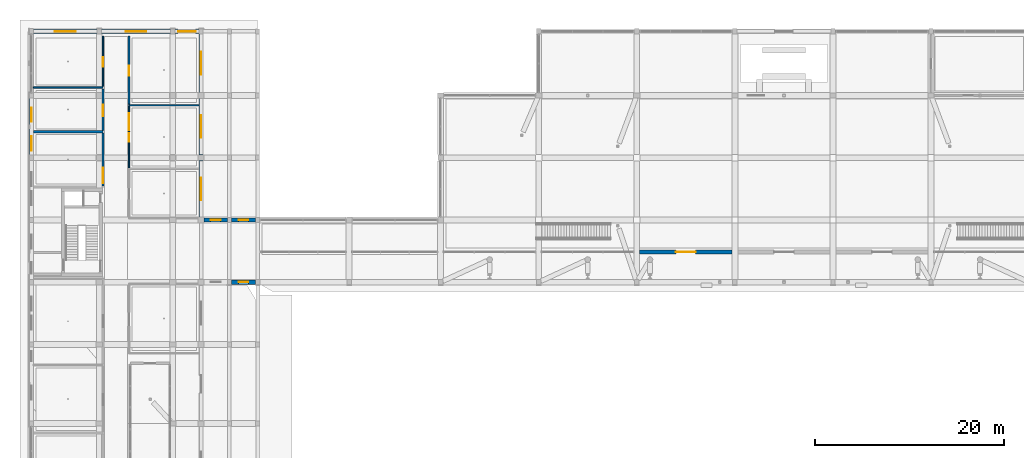
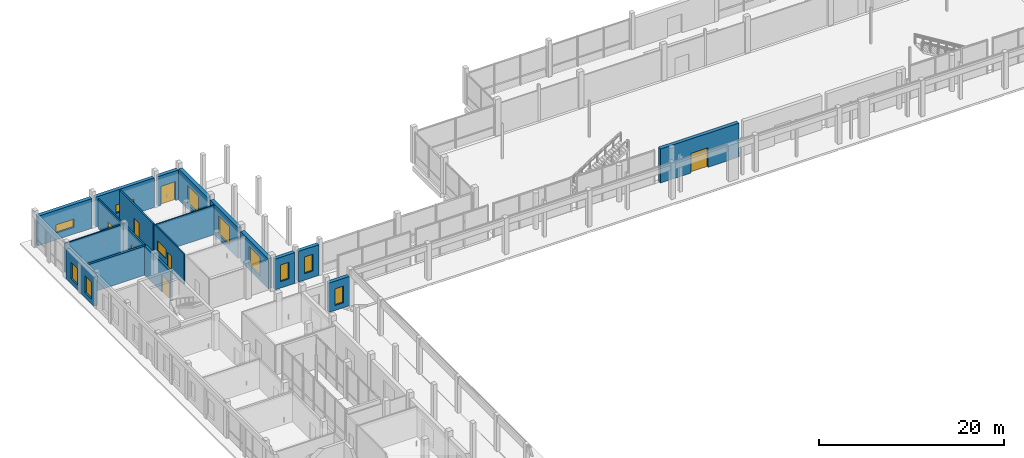
# One storey, part 50 of 88: 19 walls, 11 windows, 7 doors, 18 openings.
"""IFC4 building model written with IfcOpenShell, lengths in metres."""

import ifcopenshell
import ifcopenshell.guid

model = None  # the IFC model being written
_history = None  # IfcOwnerHistory: only IFC2X3 demands one
_inside = {}  # id of a spatial element -> (the spatial element, [elements in it])
_under = {}  # id of a project, library or spatial element -> (it, [spatial elements below it])
_declared = {}  # id of a project -> (the project, [libraries it declares])
_typed = {}  # id of a type object -> (the type object, [elements of that type])
_made_of = {}  # id of a material, layer set ... -> (it, [elements and type objects made of it])


def new_model(schema):
    """Start an empty IFC model of exactly this schema.

    Asked for "IFC4X3", IfcOpenShell would pick the latest addendum, in which some entities
    have other attributes; the version numbers below select the first issue.
    IFC2X3 requires an IfcOwnerHistory on every rooted entity: one is made here for all.
    """
    global model, _history
    if schema == "IFC4X3":
        model = ifcopenshell.file(schema_version=(4, 3, 0, 0))
    else:
        model = ifcopenshell.file(schema=schema)
    _inside.clear()
    _under.clear()
    _declared.clear()
    _typed.clear()
    _made_of.clear()
    _history = None
    if model.schema == "IFC2X3":
        org = make("IfcOrganization", Name="unknown")
        user = make(
            "IfcPersonAndOrganization",
            ThePerson=make("IfcPerson", FamilyName="unknown"),
            TheOrganization=org,
        )
        app = make(
            "IfcApplication",
            ApplicationDeveloper=org,
            Version="unknown",
            ApplicationFullName="unknown",
            ApplicationIdentifier="unknown",
        )
        _history = make(
            "IfcOwnerHistory",
            OwningUser=user,
            OwningApplication=app,
            ChangeAction="ADDED",
            CreationDate=0,
        )
    return model


def make(cls, **values):
    """One entity of the class cls with the attributes given. An attribute that is None is left unset."""
    return model.create_entity(
        cls, **{name: value for name, value in values.items() if value is not None}
    )


def rooted(cls, **values):
    """An entity with a GlobalId (a new one), such as an element, a storey or a relation."""
    return make(cls, GlobalId=ifcopenshell.guid.new(), OwnerHistory=_history, **values)


def si_unit(unit_type, name, prefix=None):
    """IfcSIUnit, for example si_unit("LENGTHUNIT", "METRE", prefix="MILLI")."""
    return make("IfcSIUnit", UnitType=unit_type, Prefix=prefix, Name=name)


def derived_unit(unit_type, elements):
    """IfcDerivedUnit: a product of units, each with its exponent."""
    return make(
        "IfcDerivedUnit",
        Elements=[
            make("IfcDerivedUnitElement", Unit=unit, Exponent=power)
            for unit, power in elements
        ],
        UnitType=unit_type,
    )


def assignment(units):
    """IfcUnitAssignment: the units of a project."""
    return None if units is None else make("IfcUnitAssignment", Units=units)


def point(xyz):
    """IfcCartesianPoint."""
    return None if xyz is None else make("IfcCartesianPoint", Coordinates=xyz)


def direction(xyz):
    """IfcDirection."""
    return None if xyz is None else make("IfcDirection", DirectionRatios=xyz)


def frame(location, z_axis=None, x_axis=None):
    """IfcAxis2Placement3D, a coordinate frame: its origin and axes. An axis left out is left unset."""
    return make(
        "IfcAxis2Placement3D",
        Location=point(location),
        Axis=direction(z_axis),
        RefDirection=direction(x_axis),
    )


def frame_2d(location, x_axis=None):
    """IfcAxis2Placement2D, a coordinate frame in the plane: its origin and x axis."""
    return make(
        "IfcAxis2Placement2D", Location=point(location), RefDirection=direction(x_axis)
    )


def origin():
    """The frame at (0, 0, 0) with its axes left unset."""
    return frame((0.0, 0.0, 0.0))


def origin_with_axes():
    """The frame at (0, 0, 0) with the z axis (0, 0, 1) and the x axis (1, 0, 0) written out."""
    return frame((0.0, 0.0, 0.0), z_axis=(0.0, 0.0, 1.0), x_axis=(1.0, 0.0, 0.0))


def place(relative_to, where):
    """IfcLocalPlacement: puts the frame where relative to a parent placement (None: the world)."""
    return make(
        "IfcLocalPlacement", PlacementRelTo=relative_to, RelativePlacement=where
    )


def context(
    kind, dimensions, precision=None, world=None, true_north=None, identifier=None
):
    """IfcGeometricRepresentationContext, for example the 3D "Model" context."""
    return make(
        "IfcGeometricRepresentationContext",
        ContextIdentifier=identifier,
        ContextType=kind,
        CoordinateSpaceDimension=dimensions,
        Precision=precision,
        WorldCoordinateSystem=world,
        TrueNorth=true_north,
    )


def subcontext(parent, identifier, kind, view, scale=None):
    """IfcGeometricRepresentationSubContext, for example "Body" below "Model"."""
    return make(
        "IfcGeometricRepresentationSubContext",
        ContextIdentifier=identifier,
        ContextType=kind,
        ParentContext=parent,
        TargetScale=scale,
        TargetView=view,
    )


def project(units=None, contexts=None):
    """IfcProject with its units and contexts."""
    return rooted(
        "IfcProject",
        Name="project",
        RepresentationContexts=contexts,
        UnitsInContext=assignment(units),
    )


def spatial(cls, under=None, at=None, **own):
    """A site, building, storey or space (cls), placed at a placement, below another one or the project."""
    s = rooted(cls, ObjectPlacement=at, **own)
    if under is not None:
        _under.setdefault(under.id(), (under, []))[1].append(s)
    return s


def profile(cls, at=None, kind="AREA", **sizes):
    """A parametric profile (cls). Its sizes go by their IFC names, for example OverallWidth=200.0."""
    return make(cls, ProfileType=kind, Position=at, **sizes)


def rectangle(**sizes):
    """IfcRectangleProfileDef."""
    return profile("IfcRectangleProfileDef", **sizes)


def extrude(swept, where, along, depth):
    """IfcExtrudedAreaSolid: the profile swept, set in the frame where, extruded along a direction by depth."""
    return make(
        "IfcExtrudedAreaSolid",
        SweptArea=swept,
        Position=where,
        ExtrudedDirection=direction(along),
        Depth=depth,
    )


def shape(context_of_items, identifier, shape_type, items):
    """IfcShapeRepresentation: the items that make up one representation, for example the "Body"."""
    return make(
        "IfcShapeRepresentation",
        ContextOfItems=context_of_items,
        RepresentationIdentifier=identifier,
        RepresentationType=shape_type,
        Items=items,
    )


def material(Name=None, Category=None):
    """IfcMaterial."""
    return make("IfcMaterial", Name=Name, Category=Category)


def layer(
    of_material, thickness, ventilated=None, Name=None, Category=None, Priority=None
):
    """IfcMaterialLayer: one layer of a wall or slab, of a material (None: an air gap)."""
    return make(
        "IfcMaterialLayer",
        Material=of_material,
        LayerThickness=thickness,
        IsVentilated=ventilated,
        Name=Name,
        Category=Category,
        Priority=Priority,
    )


def layer_set(layers, Name=None):
    """IfcMaterialLayerSet."""
    return make("IfcMaterialLayerSet", MaterialLayers=layers, LayerSetName=Name)


def made_of(thing, what):
    """Note that an element or type object is made of a material, layer set ...; save() writes the relation."""
    if what is not None:
        _made_of.setdefault(what.id(), (what, []))[1].append(thing)
    return thing


def type_object(cls, material=None, **own):
    """A type object (cls), such as IfcWallType, which elements share."""
    return made_of(rooted(cls, **own), material)


def element(
    cls,
    number,
    at=None,
    inside=None,
    cuts=None,
    type_object=None,
    material=None,
    context=None,
    identifier="Body",
    shape_type=None,
    held_by="IfcProductDefinitionShape",
    body=None,
    shapes=None,
    **own,
):
    """One element of the class cls, such as IfcWall. Its Tag is "e" and its number.

    at: its placement. inside: the storey or other place that contains it. cuts: it is an
    opening in that element (IfcRelVoidsElement). A single representation is given by context,
    identifier, shape_type and body (its items); several are given by shapes. held_by: the class
    of the entity that holds the representations. save() writes the other relations.
    """
    e = rooted(cls, Tag="e%d" % number, ObjectPlacement=at, **own)
    if body is not None:
        shapes = [shape(context, identifier, shape_type, body)]
    if shapes is not None:
        e.Representation = make(held_by, Representations=shapes)
    if inside is not None:
        _inside.setdefault(inside.id(), (inside, []))[1].append(e)
    if cuts is not None:
        rooted(
            "IfcRelVoidsElement", RelatingBuildingElement=cuts, RelatedOpeningElement=e
        )
    if type_object is not None:
        _typed.setdefault(type_object.id(), (type_object, []))[1].append(e)
    return made_of(e, material)


def fill(opening, filler):
    """IfcRelFillsElement: the door or window that sits in an opening."""
    return rooted(
        "IfcRelFillsElement",
        RelatingOpeningElement=opening,
        RelatedBuildingElement=filler,
    )


def aggregate(whole, parts):
    """IfcRelAggregates: a whole, such as a stair, and the parts it consists of."""
    return rooted("IfcRelAggregates", RelatingObject=whole, RelatedObjects=parts)


def save(model, path):
    """Write the relations noted so far, then the file.

    IfcRelAggregates (storeys below a building ...), IfcRelContainedInSpatialStructure (elements
    in a storey), IfcRelDefinesByType, IfcRelAssociatesMaterial and IfcRelDeclares: one each for
    every whole, place, type object, material and project.
    """
    for whole, parts in _under.values():
        aggregate(whole, parts)
    for where, things in _inside.values():
        rooted(
            "IfcRelContainedInSpatialStructure",
            RelatedElements=things,
            RelatingStructure=where,
        )
    for kind, things in _typed.values():
        rooted("IfcRelDefinesByType", RelatedObjects=things, RelatingType=kind)
    for what, things in _made_of.values():
        rooted("IfcRelAssociatesMaterial", RelatedObjects=things, RelatingMaterial=what)
    for by, libraries in _declared.values():
        rooted("IfcRelDeclares", RelatingContext=by, RelatedDefinitions=libraries)
    model.write(path)


model = new_model("IFC4")

# Units and contexts
model_context = context("Model", 3, precision=1e-05, world=origin(), true_north=direction((0.0, 1.0)))
body_context = subcontext(model_context, "Body", "Model", "MODEL_VIEW")
ifc_project = project(units=[si_unit("LENGTHUNIT", "METRE"), si_unit("AREAUNIT", "SQUARE_METRE"), si_unit("VOLUMEUNIT", "CUBIC_METRE"), si_unit("PLANEANGLEUNIT", "RADIAN"), si_unit("MASSUNIT", "GRAM", prefix="KILO"), derived_unit("THERMALTRANSMITTANCEUNIT", [(si_unit("POWERUNIT", "WATT"), 1), (si_unit("LENGTHUNIT", "METRE"), -2), (si_unit("THERMODYNAMICTEMPERATUREUNIT", "KELVIN"), -1)])], contexts=[model_context])

# Site, building, storey
site_placement = place(None, origin())
site = spatial("IfcSite", under=ifc_project, at=site_placement, CompositionType="ELEMENT")
building_placement = place(site_placement, origin())
building = spatial("IfcBuilding", under=site, at=building_placement, Name="Braskholm Square Health Centre", CompositionType="ELEMENT")
storey_placement = place(building_placement, origin())
storey = spatial("IfcBuildingStorey", under=building, at=storey_placement, Name="L01", CompositionType="ELEMENT", Elevation=0.0)

# Wall, opening, door
ifc_material_1 = material(Name="Fire-rated gypsum board barrier")
ifc_layer_1 = layer(ifc_material_1, 0.175048828125)
ifc_layer_set_1 = layer_set([ifc_layer_1], Name="Fire-rated gypsum board barrier")
wall_type_1 = type_object("IfcWallType", Name="AmbulatoryFirePartition175", PredefinedType="PARTITIONING", material=ifc_layer_set_1)
wall_1_placement = place(storey_placement, frame((11.800048828125, 103.280029296875, 0.0), z_axis=(0.0, 0.0, 1.0), x_axis=(0.0, 1.0, 0.0)))
wall_1 = element("IfcWall", 1, at=wall_1_placement, inside=storey, type_object=wall_type_1, Name="Interior partition PWALL-L01-0047", PredefinedType="PARTITIONING", context=body_context, shape_type="SweptSolid", body=[
    extrude(rectangle(XDim=4.429931640625, YDim=0.175048828125, at=frame_2d((2.21484375, 0.0))), origin(), (0.0, 0.0, 1.0), 3.89501953125),
])
opening_1_placement = place(wall_1_placement, frame((1.52587890625, 0.0, 0.0)))
opening_1 = element("IfcOpeningElement", 2, at=opening_1_placement, cuts=wall_1, Name="Opening D-04", PredefinedType="OPENING", context=body_context, shape_type="SweptSolid", body=[
    extrude(rectangle(XDim=1.219970703125, YDim=2.199951171875, at=frame_2d((0.60986328125, 1.10009765625))), frame((0.0, 0.09765625, 0.0), z_axis=(0.0, -1.0, 0.0), x_axis=(1.0, 0.0, 0.0)), (0.0, 0.0, 1.0), 0.195068359375),
])
ifc_material_2 = material(Name="Architectural bronze anodised aluminium", Category="aluminium")
door_type_1 = type_object("IfcDoorType", Name="DoorBariatricExam1220x2200", OperationType="NOTDEFINED", PredefinedType="DOOR", material=ifc_material_2)
door_1_placement = place(opening_1_placement, origin_with_axes())
door_1 = element("IfcDoor", 3, at=door_1_placement, inside=storey, type_object=door_type_1, Name="Interior door 0020 L01", OperationType="SINGLE_SWING_LEFT", OverallHeight=2.199951171875, OverallWidth=1.219970703125, PredefinedType="DOOR", context=body_context, shape_type="SweptSolid", body=[
    extrude(rectangle(XDim=1.219970703125, YDim=2.199951171875, at=frame_2d((0.60986328125, 1.10009765625))), frame((0.0, 0.02490234375, 0.0), z_axis=(0.0, -1.0, 0.0), x_axis=(1.0, 0.0, 0.0)), (0.0, 0.0, 1.0), 0.050048828125),
])
fill(opening_1, door_1)

# Wall
wall_2_placement = place(storey_placement, frame((4.425048828125, 107.830078125, 0.0), z_axis=(0.0, 0.0, 1.0), x_axis=(1.0, 0.0, 0.0)))
element("IfcWall", 4, at=wall_2_placement, inside=storey, type_object=wall_type_1, Name="Interior partition PWALL-L01-0048", PredefinedType="PARTITIONING", context=body_context, shape_type="SweptSolid", body=[
    extrude(rectangle(XDim=7.375, YDim=0.175048828125, at=frame_2d((3.6875, 0.0))), origin(), (0.0, 0.0, 1.0), 3.864990234375),
])

# Wall, opening, door
wall_3_placement = place(storey_placement, frame((14.550048828125, 106.090087890625, 0.0), z_axis=(0.0, 0.0, 1.0), x_axis=(0.0, 1.0, 0.0)))
wall_3 = element("IfcWall", 5, at=wall_3_placement, inside=storey, type_object=wall_type_1, Name="Interior partition PWALL-L01-0071", PredefinedType="PARTITIONING", context=body_context, shape_type="SweptSolid", body=[
    extrude(rectangle(XDim=7.18994140625, YDim=0.175048828125, at=frame_2d((3.594970703125, 0.0))), origin(), (0.0, 0.0, 1.0), 4.014892578125),
])
opening_2_placement = place(wall_3_placement, frame((2.993896484375, 0.0, 0.0)))
opening_2 = element("IfcOpeningElement", 6, at=opening_2_placement, cuts=wall_3, Name="Opening D-29", PredefinedType="OPENING", context=body_context, shape_type="SweptSolid", body=[
    extrude(rectangle(XDim=1.050048828125, YDim=2.239990234375, at=frame_2d((0.52490234375, 1.1201171875))), frame((0.0, 0.09765625, 0.0), z_axis=(0.0, -1.0, 0.0), x_axis=(1.0, 0.0, 0.0)), (0.0, 0.0, 1.0), 0.195068359375),
])
door_type_2 = type_object("IfcDoorType", Name="DoorLabSingle1050x2240", OperationType="NOTDEFINED", PredefinedType="DOOR", material=ifc_material_2)
door_2_placement = place(opening_2_placement, frame((1.050048828125, 0.0, 0.0), z_axis=(0.0, 0.0, 1.0), x_axis=(-1.0, 0.0, 0.0)))
door_2 = element("IfcDoor", 7, at=door_2_placement, inside=storey, type_object=door_type_2, Name="Interior door 0031 L01", OperationType="SINGLE_SWING_RIGHT", OverallHeight=2.239990234375, OverallWidth=1.050048828125, PredefinedType="DOOR", context=body_context, shape_type="SweptSolid", body=[
    extrude(rectangle(XDim=1.050048828125, YDim=2.239990234375, at=frame_2d((0.52490234375, 1.1201171875))), frame((0.0, 0.02490234375, 0.0), z_axis=(0.0, -1.0, 0.0), x_axis=(1.0, 0.0, 0.0)), (0.0, 0.0, 1.0), 0.050048828125),
])
fill(opening_2, door_2)

ifc_material_3 = material(Name="Acoustic gypsum board partition")
ifc_layer_2 = layer(ifc_material_3, 0.125)
ifc_layer_set_2 = layer_set([ifc_layer_2], Name="Acoustic gypsum board partition")
wall_type_2 = type_object("IfcWallType", Name="ClinicalExamPartition125", PredefinedType="PARTITIONING", material=ifc_layer_set_2)
wall_4_placement = place(storey_placement, frame((11.800048828125, 107.949951171875, 0.0), z_axis=(0.0, 0.0, 1.0), x_axis=(0.0, 1.0, 0.0)))
wall_4 = element("IfcWall", 8, at=wall_4_placement, inside=storey, type_object=wall_type_2, Name="Interior partition PWALL-L01-0049", PredefinedType="PARTITIONING", context=body_context, shape_type="SweptSolid", body=[
    extrude(rectangle(XDim=5.330078125, YDim=0.125, at=frame_2d((2.6650390625, 0.0))), origin(), (0.0, 0.0, 1.0), 3.89501953125),
])
opening_3_placement = place(wall_4_placement, frame((2.089111328125, 0.0, 0.0)))
opening_3 = element("IfcOpeningElement", 9, at=opening_3_placement, cuts=wall_4, Name="Opening D-02", PredefinedType="OPENING", context=body_context, shape_type="SweptSolid", body=[
    extrude(rectangle(XDim=1.0, YDim=2.14990234375, at=frame_2d((0.5, 1.074951171875))), frame((0.0, 0.072509765625, 0.0), z_axis=(0.0, -1.0, 0.0), x_axis=(1.0, 0.0, 0.0)), (0.0, 0.0, 1.0), 0.14501953125),
])
door_type_3 = type_object("IfcDoorType", Name="DoorExamSingle1000x2150", OperationType="NOTDEFINED", PredefinedType="DOOR", material=ifc_material_2)
door_3_placement = place(opening_3_placement, origin_with_axes())
door_3 = element("IfcDoor", 10, at=door_3_placement, inside=storey, type_object=door_type_3, Name="Interior door 0021 L01", OperationType="SINGLE_SWING_RIGHT", OverallHeight=2.14990234375, OverallWidth=1.0, PredefinedType="DOOR", context=body_context, shape_type="SweptSolid", body=[
    extrude(rectangle(XDim=1.0, YDim=2.14990234375, at=frame_2d((0.5, 1.074951171875))), frame((0.0, 0.02490234375, 0.0), z_axis=(0.0, -1.0, 0.0), x_axis=(1.0, 0.0, 0.0)), (0.0, 0.0, 1.0), 0.050048828125),
])
fill(opening_3, door_3)

# Wall, openings, door, window
wall_5_placement = place(storey_placement, frame((14.550048828125, 99.35009765625, 0.0), z_axis=(0.0, 0.0, 1.0), x_axis=(0.0, 1.0, 0.0)))
wall_5 = element("IfcWall", 11, at=wall_5_placement, inside=storey, type_object=wall_type_2, Name="Interior partition PWALL-L01-0069", PredefinedType="PARTITIONING", context=body_context, shape_type="SweptSolid", body=[
    extrude(rectangle(XDim=6.5, YDim=0.125, at=frame_2d((3.25, 0.0))), origin(), (0.0, 0.0, 1.0), 4.014892578125),
])
opening_4_placement = place(wall_5_placement, frame((2.722900390625, 0.0, 0.0)))
opening_4 = element("IfcOpeningElement", 12, at=opening_4_placement, cuts=wall_5, Name="Opening D-07", PredefinedType="OPENING", context=body_context, shape_type="SweptSolid", body=[
    extrude(rectangle(XDim=0.89990234375, YDim=2.1201171875, at=frame_2d((0.449951171875, 1.06005859375))), frame((0.0, 0.072509765625, 0.0), z_axis=(0.0, -1.0, 0.0), x_axis=(1.0, 0.0, 0.0)), (0.0, 0.0, 1.0), 0.14501953125),
])
opening_5_placement = place(wall_5_placement, frame((3.97509765625, 0.0, 1.050048828125)))
opening_5 = element("IfcOpeningElement", 13, at=opening_5_placement, cuts=wall_5, Name="Opening WN-31", PredefinedType="OPENING", context=body_context, shape_type="SweptSolid", body=[
    extrude(rectangle(XDim=1.800048828125, YDim=1.25, at=frame_2d((0.89990234375, 0.625))), frame((0.0, 0.072509765625, 0.0), z_axis=(0.0, -1.0, 0.0), x_axis=(1.0, 0.0, 0.0)), (0.0, 0.0, 1.0), 0.14501953125),
])
door_type_4 = type_object("IfcDoorType", Name="DoorProviderOffice900x2120", OperationType="NOTDEFINED", PredefinedType="DOOR", material=ifc_material_2)
door_4_placement = place(opening_4_placement, frame((0.89990234375, 0.0, 0.0), z_axis=(0.0, 0.0, 1.0), x_axis=(-1.0, 0.0, 0.0)))
door_4 = element("IfcDoor", 14, at=door_4_placement, inside=storey, type_object=door_type_4, Name="Interior door 0030 L01", OperationType="SINGLE_SWING_LEFT", OverallHeight=2.1201171875, OverallWidth=0.89990234375, PredefinedType="DOOR", context=body_context, shape_type="SweptSolid", body=[
    extrude(rectangle(XDim=0.89990234375, YDim=2.1201171875, at=frame_2d((0.449951171875, 1.06005859375))), frame((0.0, 0.02490234375, 0.0), z_axis=(0.0, -1.0, 0.0), x_axis=(1.0, 0.0, 0.0)), (0.0, 0.0, 1.0), 0.050048828125),
])
fill(opening_4, door_4)
ifc_material_4 = material(Name="Low-E triple insulating glass (VLT 0.64)", Category="glass")
window_type_1 = type_object("IfcWindowType", Name="WinInteriorObservation1800x1250", PartitioningType="SINGLE_PANEL", PredefinedType="WINDOW", material=ifc_material_4)
window_1_placement = place(opening_5_placement, origin_with_axes())
window_1 = element("IfcWindow", 15, at=window_1_placement, inside=storey, type_object=window_type_1, Name="Interior observation window 003 L01", OverallHeight=1.25, OverallWidth=1.800048828125, PartitioningType="SINGLE_PANEL", PredefinedType="WINDOW", context=body_context, shape_type="SweptSolid", body=[
    extrude(rectangle(XDim=1.800048828125, YDim=1.25, at=frame_2d((0.89990234375, 0.625))), frame((0.0, 0.030029296875, 0.0), z_axis=(0.0, -1.0, 0.0), x_axis=(1.0, 0.0, 0.0)), (0.0, 0.0, 1.0), 0.06005859375),
])
fill(opening_5, window_1)

# Wall
wall_6_placement = place(storey_placement, frame((14.550048828125, 105.969970703125, 0.0), z_axis=(0.0, 0.0, 1.0), x_axis=(1.0, 0.0, 0.0)))
element("IfcWall", 16, at=wall_6_placement, inside=storey, type_object=wall_type_2, Name="Interior partition PWALL-L01-0070", PredefinedType="PARTITIONING", context=body_context, shape_type="SweptSolid", body=[
    extrude(rectangle(XDim=7.425048828125, YDim=0.125, at=frame_2d((3.71240234375, 0.0))), origin(), (0.0, 0.0, 1.0), 3.89501953125),
])

# Wall, openings, windows
ifc_material_5 = material(Name="Mankato-Kasota dolomitic limestone ashlar", Category="masonry")
ifc_layer_3 = layer(ifc_material_5, 0.449951171875)
ifc_layer_set_3 = layer_set([ifc_layer_3], Name="Mankato-Kasota dolomitic limestone ashlar")
wall_type_3 = type_object("IfcWallType", Name="ExteriorKasotaWall450", PredefinedType="SOLIDWALL", material=ifc_layer_set_3)
wall_7_placement = place(storey_placement, frame((4.199951171875, 106.718017578125, 0.0), z_axis=(0.0, 0.0, 1.0), x_axis=(0.0, -1.0, 0.0)))
wall_7 = element("IfcWall", 17, at=wall_7_placement, inside=storey, type_object=wall_type_3, Name="Exterior wall EWALL-L01-0011", PredefinedType="SOLIDWALL", context=body_context, shape_type="SweptSolid", body=[
    extrude(rectangle(XDim=6.0361328125, YDim=0.449951171875, at=frame_2d((3.01806640625, 0.0))), origin(), (0.0, 0.0, 1.0), 3.8701171875),
])
opening_6_placement = place(wall_7_placement, frame((1.01611328125, 0.0, 0.64990234375)))
opening_6 = element("IfcOpeningElement", 18, at=opening_6_placement, cuts=wall_7, Name="Opening WN-03", PredefinedType="OPENING", context=body_context, shape_type="SweptSolid", body=[
    extrude(rectangle(XDim=1.5, YDim=2.199951171875, at=frame_2d((0.75, 1.10009765625))), frame((0.0, 0.23486328125, 0.0), z_axis=(0.0, -1.0, 0.0), x_axis=(1.0, 0.0, 0.0)), (0.0, 0.0, 1.0), 0.469970703125),
])
opening_7_placement = place(wall_7_placement, frame((4.05908203125, 0.0, 0.64990234375)))
opening_7 = element("IfcOpeningElement", 19, at=opening_7_placement, cuts=wall_7, Name="Opening WN-03", PredefinedType="OPENING", context=body_context, shape_type="SweptSolid", body=[
    extrude(rectangle(XDim=1.5, YDim=2.199951171875, at=frame_2d((0.75, 1.10009765625))), frame((0.0, 0.23486328125, 0.0), z_axis=(0.0, -1.0, 0.0), x_axis=(1.0, 0.0, 0.0)), (0.0, 0.0, 1.0), 0.469970703125),
])
window_type_2 = type_object("IfcWindowType", Name="WinArtDecoTwin1500x2200", PartitioningType="SINGLE_PANEL", PredefinedType="WINDOW", material=ifc_material_4)
window_2_placement = place(opening_6_placement, origin_with_axes())
window_2 = element("IfcWindow", 20, at=window_2_placement, inside=storey, type_object=window_type_2, Name="Exterior window 0018 L01", OverallHeight=2.199951171875, OverallWidth=1.5, PartitioningType="SINGLE_PANEL", PredefinedType="WINDOW", context=body_context, shape_type="SweptSolid", body=[
    extrude(rectangle(XDim=1.5, YDim=2.199951171875, at=frame_2d((0.75, 1.10009765625))), frame((0.0, 0.030029296875, 0.0), z_axis=(0.0, -1.0, 0.0), x_axis=(1.0, 0.0, 0.0)), (0.0, 0.0, 1.0), 0.06005859375),
])
fill(opening_6, window_2)
window_3_placement = place(opening_7_placement, origin_with_axes())
window_3 = element("IfcWindow", 21, at=window_3_placement, inside=storey, type_object=window_type_2, Name="Exterior window 0019 L01", OverallHeight=2.199951171875, OverallWidth=1.5, PartitioningType="SINGLE_PANEL", PredefinedType="WINDOW", context=body_context, shape_type="SweptSolid", body=[
    extrude(rectangle(XDim=1.5, YDim=2.199951171875, at=frame_2d((0.75, 1.10009765625))), frame((0.0, 0.030029296875, 0.0), z_axis=(0.0, -1.0, 0.0), x_axis=(1.0, 0.0, 0.0)), (0.0, 0.0, 1.0), 0.06005859375),
])
fill(opening_7, window_3)

# Wall, opening, window
wall_8_placement = place(storey_placement, frame((22.199951171875, 94.10205078125, 0.0), z_axis=(0.0, 0.0, 1.0), x_axis=(0.0, 1.0, 0.0)))
wall_8 = element("IfcWall", 22, at=wall_8_placement, inside=storey, type_object=wall_type_3, Name="Exterior wall EWALL-L01-0106", PredefinedType="SOLIDWALL", context=body_context, shape_type="SweptSolid", body=[
    extrude(rectangle(XDim=5.995849609375, YDim=0.449951171875, at=frame_2d((2.998046875, 0.0))), origin(), (0.0, 0.0, 1.0), 3.9599609375),
])
opening_8_placement = place(wall_8_placement, frame((1.798095703125, 0.0, 0.60009765625)))
opening_8 = element("IfcOpeningElement", 23, at=opening_8_placement, cuts=wall_8, Name="Opening WN-05", PredefinedType="OPENING", context=body_context, shape_type="SweptSolid", body=[
    extrude(rectangle(XDim=2.39990234375, YDim=2.5, at=frame_2d((1.199951171875, 1.25))), frame((0.0, 0.23486328125, 0.0), z_axis=(0.0, -1.0, 0.0), x_axis=(1.0, 0.0, 0.0)), (0.0, 0.0, 1.0), 0.469970703125),
])
window_type_3 = type_object("IfcWindowType", Name="WinStorefrontSquare2400x2500", PartitioningType="SINGLE_PANEL", PredefinedType="WINDOW", material=ifc_material_4)
window_4_placement = place(opening_8_placement, origin_with_axes())
window_4 = element("IfcWindow", 24, at=window_4_placement, inside=storey, type_object=window_type_3, Name="Exterior window 0177 L01", OverallHeight=2.5, OverallWidth=2.39990234375, PartitioningType="SINGLE_PANEL", PredefinedType="WINDOW", context=body_context, shape_type="SweptSolid", body=[
    extrude(rectangle(XDim=2.39990234375, YDim=2.5, at=frame_2d((1.199951171875, 1.25))), frame((0.0, 0.030029296875, 0.0), z_axis=(0.0, -1.0, 0.0), x_axis=(1.0, 0.0, 0.0)), (0.0, 0.0, 1.0), 0.06005859375),
])
fill(opening_8, window_4)

wall_9_placement = place(storey_placement, frame((22.199951171875, 100.701904296875, 0.0), z_axis=(0.0, 0.0, 1.0), x_axis=(0.0, 1.0, 0.0)))
wall_9 = element("IfcWall", 25, at=wall_9_placement, inside=storey, type_object=wall_type_3, Name="Exterior wall EWALL-L01-0107", PredefinedType="SOLIDWALL", context=body_context, shape_type="SweptSolid", body=[
    extrude(rectangle(XDim=5.99609375, YDim=0.449951171875, at=frame_2d((2.998046875, 0.0))), origin(), (0.0, 0.0, 1.0), 4.090087890625),
])
opening_9_placement = place(wall_9_placement, frame((1.798095703125, 0.0, 0.60009765625)))
opening_9 = element("IfcOpeningElement", 26, at=opening_9_placement, cuts=wall_9, Name="Opening WN-05", PredefinedType="OPENING", context=body_context, shape_type="SweptSolid", body=[
    extrude(rectangle(XDim=2.39990234375, YDim=2.5, at=frame_2d((1.199951171875, 1.25))), frame((0.0, 0.23486328125, 0.0), z_axis=(0.0, -1.0, 0.0), x_axis=(1.0, 0.0, 0.0)), (0.0, 0.0, 1.0), 0.469970703125),
])
window_5_placement = place(opening_9_placement, origin_with_axes())
window_5 = element("IfcWindow", 27, at=window_5_placement, inside=storey, type_object=window_type_3, Name="Exterior window 0178 L01", OverallHeight=2.5, OverallWidth=2.39990234375, PartitioningType="SINGLE_PANEL", PredefinedType="WINDOW", context=body_context, shape_type="SweptSolid", body=[
    extrude(rectangle(XDim=2.39990234375, YDim=2.5, at=frame_2d((1.199951171875, 1.25))), frame((0.0, 0.030029296875, 0.0), z_axis=(0.0, -1.0, 0.0), x_axis=(1.0, 0.0, 0.0)), (0.0, 0.0, 1.0), 0.06005859375),
])
fill(opening_9, window_5)

wall_10_placement = place(storey_placement, frame((22.199951171875, 107.302001953125, 0.0), z_axis=(0.0, 0.0, 1.0), x_axis=(0.0, 1.0, 0.0)))
wall_10 = element("IfcWall", 28, at=wall_10_placement, inside=storey, type_object=wall_type_3, Name="Exterior wall EWALL-L01-0108", PredefinedType="SOLIDWALL", context=body_context, shape_type="SweptSolid", body=[
    extrude(rectangle(XDim=6.216064453125, YDim=0.449951171875, at=frame_2d((3.10791015625, 0.0))), origin(), (0.0, 0.0, 1.0), 4.090087890625),
])
opening_10_placement = place(wall_10_placement, frame((1.907958984375, 0.0, 0.60009765625)))
opening_10 = element("IfcOpeningElement", 29, at=opening_10_placement, cuts=wall_10, Name="Opening WN-05", PredefinedType="OPENING", context=body_context, shape_type="SweptSolid", body=[
    extrude(rectangle(XDim=2.39990234375, YDim=2.5, at=frame_2d((1.199951171875, 1.25))), frame((0.0, 0.23486328125, 0.0), z_axis=(0.0, -1.0, 0.0), x_axis=(1.0, 0.0, 0.0)), (0.0, 0.0, 1.0), 0.469970703125),
])
window_6_placement = place(opening_10_placement, origin_with_axes())
window_6 = element("IfcWindow", 30, at=window_6_placement, inside=storey, type_object=window_type_3, Name="Exterior window 0179 L01", OverallHeight=2.5, OverallWidth=2.39990234375, PartitioningType="SINGLE_PANEL", PredefinedType="WINDOW", context=body_context, shape_type="SweptSolid", body=[
    extrude(rectangle(XDim=2.39990234375, YDim=2.5, at=frame_2d((1.199951171875, 1.25))), frame((0.0, 0.030029296875, 0.0), z_axis=(0.0, -1.0, 0.0), x_axis=(1.0, 0.0, 0.0)), (0.0, 0.0, 1.0), 0.06005859375),
])
fill(opening_10, window_6)

# Wall, opening, door
wall_11_placement = place(storey_placement, frame((21.968017578125, 113.800048828125, 0.0), z_axis=(0.0, 0.0, 1.0), x_axis=(-1.0, 0.0, 0.0)))
wall_11 = element("IfcWall", 31, at=wall_11_placement, inside=storey, type_object=wall_type_3, Name="Exterior wall EWALL-L01-0231", PredefinedType="SOLIDWALL", context=body_context, shape_type="SweptSolid", body=[
    extrude(rectangle(XDim=2.5361328125, YDim=0.449951171875, at=frame_2d((1.26806640625, 0.0))), origin(), (0.0, 0.0, 1.0), 3.919921875),
])
opening_11_placement = place(wall_11_placement, frame((0.337890625, 0.0, 0.0)))
opening_11 = element("IfcOpeningElement", 32, at=opening_11_placement, cuts=wall_11, Name="Opening D-E2", PredefinedType="OPENING", context=body_context, shape_type="SweptSolid", body=[
    extrude(rectangle(XDim=1.860107421875, YDim=2.5, at=frame_2d((0.93017578125, 1.25))), frame((0.0, 0.23486328125, 0.0), z_axis=(0.0, -1.0, 0.0), x_axis=(1.0, 0.0, 0.0)), (0.0, 0.0, 1.0), 0.469970703125),
])
door_type_5 = type_object("IfcDoorType", Name="DoorSquareEntrancePair1860x2500", OperationType="DOUBLE_DOOR_SINGLE_SWING", PredefinedType="DOOR", material=ifc_material_4)
door_5_placement = place(opening_11_placement, frame((1.860107421875, 0.0, 0.0), z_axis=(0.0, 0.0, 1.0), x_axis=(-1.0, 0.0, 0.0)))
door_5 = element("IfcDoor", 33, at=door_5_placement, inside=storey, type_object=door_type_5, Name="Exterior door 0033 L01", OperationType="DOUBLE_DOOR_SINGLE_SWING", OverallHeight=2.5, OverallWidth=1.860107421875, PredefinedType="DOOR", context=body_context, shape_type="SweptSolid", body=[
    extrude(rectangle(XDim=1.860107421875, YDim=2.5, at=frame_2d((0.93017578125, 1.25))), frame((0.0, 0.02490234375, 0.0), z_axis=(0.0, -1.0, 0.0), x_axis=(1.0, 0.0, 0.0)), (0.0, 0.0, 1.0), 0.050048828125),
])
fill(opening_11, door_5)

# Wall, opening, window
wall_12_placement = place(storey_placement, frame((18.968017578125, 113.800048828125, 0.0), z_axis=(0.0, 0.0, 1.0), x_axis=(-1.0, 0.0, 0.0)))
wall_12 = element("IfcWall", 34, at=wall_12_placement, inside=storey, type_object=wall_type_3, Name="Exterior wall EWALL-L01-0232", PredefinedType="SOLIDWALL", context=body_context, shape_type="SweptSolid", body=[
    extrude(rectangle(XDim=7.3359375, YDim=0.449951171875, at=frame_2d((3.66796875, 0.0))), origin(), (0.0, 0.0, 1.0), 3.919921875),
])
opening_12_placement = place(wall_12_placement, frame((2.568115234375, 0.0, 0.89990234375)))
opening_12 = element("IfcOpeningElement", 35, at=opening_12_placement, cuts=wall_12, Name="Opening WN-28", PredefinedType="OPENING", context=body_context, shape_type="SweptSolid", body=[
    extrude(rectangle(XDim=2.199951171875, YDim=1.10009765625, at=frame_2d((1.10009765625, 0.550048828125))), frame((0.0, 0.23486328125, 0.0), z_axis=(0.0, -1.0, 0.0), x_axis=(1.0, 0.0, 0.0)), (0.0, 0.0, 1.0), 0.469970703125),
])
window_type_4 = type_object("IfcWindowType", Name="WinClerestoryRibbon2200x1100", PartitioningType="SINGLE_PANEL", PredefinedType="WINDOW", material=ifc_material_4)
window_7_placement = place(opening_12_placement, origin_with_axes())
window_7 = element("IfcWindow", 36, at=window_7_placement, inside=storey, type_object=window_type_4, Name="Exterior window 0285 L01", OverallHeight=1.10009765625, OverallWidth=2.199951171875, PartitioningType="SINGLE_PANEL", PredefinedType="WINDOW", context=body_context, shape_type="SweptSolid", body=[
    extrude(rectangle(XDim=2.199951171875, YDim=1.10009765625, at=frame_2d((1.10009765625, 0.550048828125))), frame((0.0, 0.030029296875, 0.0), z_axis=(0.0, -1.0, 0.0), x_axis=(1.0, 0.0, 0.0)), (0.0, 0.0, 1.0), 0.06005859375),
])
fill(opening_12, window_7)

wall_13_placement = place(storey_placement, frame((11.16796875, 113.800048828125, 0.0), z_axis=(0.0, 0.0, 1.0), x_axis=(-1.0, 0.0, 0.0)))
wall_13 = element("IfcWall", 37, at=wall_13_placement, inside=storey, type_object=wall_type_3, Name="Exterior wall EWALL-L01-0233", PredefinedType="SOLIDWALL", context=body_context, shape_type="SweptSolid", body=[
    extrude(rectangle(XDim=6.736083984375, YDim=0.449951171875, at=frame_2d((3.3681640625, 0.0))), origin(), (0.0, 0.0, 1.0), 3.919921875),
])
opening_13_placement = place(wall_13_placement, frame((2.26806640625, 0.0, 0.89990234375)))
opening_13 = element("IfcOpeningElement", 38, at=opening_13_placement, cuts=wall_13, Name="Opening WN-28", PredefinedType="OPENING", context=body_context, shape_type="SweptSolid", body=[
    extrude(rectangle(XDim=2.199951171875, YDim=1.10009765625, at=frame_2d((1.10009765625, 0.550048828125))), frame((0.0, 0.23486328125, 0.0), z_axis=(0.0, -1.0, 0.0), x_axis=(1.0, 0.0, 0.0)), (0.0, 0.0, 1.0), 0.469970703125),
])
window_8_placement = place(opening_13_placement, origin_with_axes())
window_8 = element("IfcWindow", 39, at=window_8_placement, inside=storey, type_object=window_type_4, Name="Exterior window 0286 L01", OverallHeight=1.10009765625, OverallWidth=2.199951171875, PartitioningType="SINGLE_PANEL", PredefinedType="WINDOW", context=body_context, shape_type="SweptSolid", body=[
    extrude(rectangle(XDim=2.199951171875, YDim=1.10009765625, at=frame_2d((1.10009765625, 0.550048828125))), frame((0.0, 0.030029296875, 0.0), z_axis=(0.0, -1.0, 0.0), x_axis=(1.0, 0.0, 0.0)), (0.0, 0.0, 1.0), 0.06005859375),
])
fill(opening_13, window_8)

wall_14_placement = place(storey_placement, frame((24.97802734375, 93.800048828125, 0.0), z_axis=(0.0, 0.0, 1.0), x_axis=(-1.0, 0.0, 0.0)))
wall_14 = element("IfcWall", 40, at=wall_14_placement, inside=storey, type_object=wall_type_3, Name="Exterior wall EWALL-L01-0256", PredefinedType="SOLIDWALL", context=body_context, shape_type="SweptSolid", body=[
    extrude(rectangle(XDim=2.47607421875, YDim=0.449951171875, at=frame_2d((1.238037109375, 0.0))), origin(), (0.0, 0.0, 1.0), 4.06005859375),
])
opening_14_placement = place(wall_14_placement, frame((0.712890625, 0.0, 0.85009765625)))
opening_14 = element("IfcOpeningElement", 41, at=opening_14_placement, cuts=wall_14, Name="Opening WN-02", PredefinedType="OPENING", context=body_context, shape_type="SweptSolid", body=[
    extrude(rectangle(XDim=1.050048828125, YDim=2.199951171875, at=frame_2d((0.52490234375, 1.10009765625))), frame((0.0, 0.23486328125, 0.0), z_axis=(0.0, -1.0, 0.0), x_axis=(1.0, 0.0, 0.0)), (0.0, 0.0, 1.0), 0.469970703125),
])
window_type_5 = type_object("IfcWindowType", Name="WinArtDecoLancet1050x2200", PartitioningType="SINGLE_PANEL", PredefinedType="WINDOW", material=ifc_material_4)
window_9_placement = place(opening_14_placement, origin_with_axes())
window_9 = element("IfcWindow", 42, at=window_9_placement, inside=storey, type_object=window_type_5, Name="Exterior window 0306 L01", OverallHeight=2.199951171875, OverallWidth=1.050048828125, PartitioningType="SINGLE_PANEL", PredefinedType="WINDOW", context=body_context, shape_type="SweptSolid", body=[
    extrude(rectangle(XDim=1.050048828125, YDim=2.199951171875, at=frame_2d((0.52490234375, 1.10009765625))), frame((0.0, 0.030029296875, 0.0), z_axis=(0.0, -1.0, 0.0), x_axis=(1.0, 0.0, 0.0)), (0.0, 0.0, 1.0), 0.06005859375),
])
fill(opening_14, window_9)

wall_15_placement = place(storey_placement, frame((25.422119140625, 87.199951171875, 0.0), z_axis=(0.0, 0.0, 1.0), x_axis=(1.0, 0.0, 0.0)))
wall_15 = element("IfcWall", 43, at=wall_15_placement, inside=storey, type_object=wall_type_3, Name="Exterior wall EWALL-L01-0259", PredefinedType="SOLIDWALL", context=body_context, shape_type="SweptSolid", body=[
    extrude(rectangle(XDim=2.5458984375, YDim=0.449951171875, at=frame_2d((1.27294921875, 0.0))), origin(), (0.0, 0.0, 1.0), 3.8701171875),
])
opening_15_placement = place(wall_15_placement, frame((0.748046875, 0.0, 0.64990234375)))
opening_15 = element("IfcOpeningElement", 44, at=opening_15_placement, cuts=wall_15, Name="Opening WN-02", PredefinedType="OPENING", context=body_context, shape_type="SweptSolid", body=[
    extrude(rectangle(XDim=1.050048828125, YDim=2.199951171875, at=frame_2d((0.52490234375, 1.10009765625))), frame((0.0, 0.23486328125, 0.0), z_axis=(0.0, -1.0, 0.0), x_axis=(1.0, 0.0, 0.0)), (0.0, 0.0, 1.0), 0.469970703125),
])
window_10_placement = place(opening_15_placement, origin_with_axes())
window_10 = element("IfcWindow", 45, at=window_10_placement, inside=storey, type_object=window_type_5, Name="Exterior window 0309 L01", OverallHeight=2.199951171875, OverallWidth=1.050048828125, PartitioningType="SINGLE_PANEL", PredefinedType="WINDOW", context=body_context, shape_type="SweptSolid", body=[
    extrude(rectangle(XDim=1.050048828125, YDim=2.199951171875, at=frame_2d((0.52490234375, 1.10009765625))), frame((0.0, 0.030029296875, 0.0), z_axis=(0.0, -1.0, 0.0), x_axis=(1.0, 0.0, 0.0)), (0.0, 0.0, 1.0), 0.06005859375),
])
fill(opening_15, window_10)

wall_16_placement = place(storey_placement, frame((27.97802734375, 93.800048828125, 0.0), z_axis=(0.0, 0.0, 1.0), x_axis=(-1.0, 0.0, 0.0)))
wall_16 = element("IfcWall", 46, at=wall_16_placement, inside=storey, type_object=wall_type_3, Name="Exterior wall EWALL-L01-0262", PredefinedType="SOLIDWALL", context=body_context, shape_type="SweptSolid", body=[
    extrude(rectangle(XDim=2.555908203125, YDim=0.449951171875, at=frame_2d((1.27783203125, 0.0))), origin(), (0.0, 0.0, 1.0), 4.06005859375),
])
opening_16_placement = place(wall_16_placement, frame((0.7529296875, 0.0, 0.85009765625)))
opening_16 = element("IfcOpeningElement", 47, at=opening_16_placement, cuts=wall_16, Name="Opening WN-02", PredefinedType="OPENING", context=body_context, shape_type="SweptSolid", body=[
    extrude(rectangle(XDim=1.050048828125, YDim=2.199951171875, at=frame_2d((0.52490234375, 1.10009765625))), frame((0.0, 0.23486328125, 0.0), z_axis=(0.0, -1.0, 0.0), x_axis=(1.0, 0.0, 0.0)), (0.0, 0.0, 1.0), 0.469970703125),
])
window_11_placement = place(opening_16_placement, origin_with_axes())
window_11 = element("IfcWindow", 48, at=window_11_placement, inside=storey, type_object=window_type_5, Name="Exterior window 0312 L01", OverallHeight=2.199951171875, OverallWidth=1.050048828125, PartitioningType="SINGLE_PANEL", PredefinedType="WINDOW", context=body_context, shape_type="SweptSolid", body=[
    extrude(rectangle(XDim=1.050048828125, YDim=2.199951171875, at=frame_2d((0.52490234375, 1.10009765625))), frame((0.0, 0.030029296875, 0.0), z_axis=(0.0, -1.0, 0.0), x_axis=(1.0, 0.0, 0.0)), (0.0, 0.0, 1.0), 0.06005859375),
])
fill(opening_16, window_11)

# Wall, opening, door
wall_17_placement = place(storey_placement, frame((68.699951171875, 90.39990234375, 0.0), z_axis=(0.0, 0.0, 1.0), x_axis=(1.0, 0.0, 0.0)))
wall_17 = element("IfcWall", 49, at=wall_17_placement, inside=storey, type_object=wall_type_3, Name="Exterior wall EWALL-L01-0265", PredefinedType="SOLIDWALL", context=body_context, shape_type="SweptSolid", body=[
    extrude(rectangle(XDim=9.800048828125, YDim=0.449951171875, at=frame_2d((4.89990234375, 0.0))), origin(), (0.0, 0.0, 1.0), 4.5),
])
opening_17_placement = place(wall_17_placement, frame((3.85009765625, 0.0, 0.0)))
opening_17 = element("IfcOpeningElement", 50, at=opening_17_placement, cuts=wall_17, Name="Opening D-E1", PredefinedType="OPENING", context=body_context, shape_type="SweptSolid", body=[
    extrude(rectangle(XDim=2.10009765625, YDim=2.60009765625, at=frame_2d((1.050048828125, 1.300048828125))), frame((0.0, 0.23486328125, 0.0), z_axis=(0.0, -1.0, 0.0), x_axis=(1.0, 0.0, 0.0)), (0.0, 0.0, 1.0), 0.469970703125),
])
door_type_6 = type_object("IfcDoorType", Name="DoorMainEntrancePair2100x2600", OperationType="DOUBLE_DOOR_SINGLE_SWING", PredefinedType="DOOR", material=ifc_material_4)
door_6_placement = place(opening_17_placement, frame((2.10009765625, 0.0, 0.0), z_axis=(0.0, 0.0, 1.0), x_axis=(-1.0, 0.0, 0.0)))
door_6 = element("IfcDoor", 51, at=door_6_placement, inside=storey, type_object=door_type_6, Name="Exterior door 0036 L01", OperationType="DOUBLE_DOOR_SINGLE_SWING", OverallHeight=2.60009765625, OverallWidth=2.10009765625, PredefinedType="DOOR", context=body_context, shape_type="SweptSolid", body=[
    extrude(rectangle(XDim=2.10009765625, YDim=2.60009765625, at=frame_2d((1.050048828125, 1.300048828125))), frame((0.0, 0.02490234375, 0.0), z_axis=(0.0, -1.0, 0.0), x_axis=(1.0, 0.0, 0.0)), (0.0, 0.0, 1.0), 0.050048828125),
])
fill(opening_17, door_6)

ifc_material_6 = material(Name="Concrete C35/45 (f'c = 35 MPa)", Category="concrete")
ifc_layer_4 = layer(ifc_material_6, 0.25)
ifc_layer_set_4 = layer_set([ifc_layer_4], Name="Concrete C35/45 (f'c = 35 MPa)")
wall_type_4 = type_object("IfcWallType", Name="FireBarrierWall250", PredefinedType="SOLIDWALL", material=ifc_layer_set_4)
wall_18_placement = place(storey_placement, frame((11.800048828125, 97.419921875, 0.0), z_axis=(0.0, 0.0, 1.0), x_axis=(0.0, 1.0, 0.0)))
wall_18 = element("IfcWall", 52, at=wall_18_placement, inside=storey, type_object=wall_type_4, Name="Interior partition PWALL-L01-0044", PredefinedType="SOLIDWALL", context=body_context, shape_type="SweptSolid", body=[
    extrude(rectangle(XDim=5.6201171875, YDim=0.25, at=frame_2d((2.81005859375, 0.0))), origin(), (0.0, 0.0, 1.0), 3.89501953125),
])
opening_18_placement = place(wall_18_placement, frame((0.260009765625, 0.0, 0.0)))
opening_18 = element("IfcOpeningElement", 53, at=opening_18_placement, cuts=wall_18, Name="Opening D-19", PredefinedType="OPENING", context=body_context, shape_type="SweptSolid", body=[
    extrude(rectangle(XDim=1.679931640625, YDim=2.25, at=frame_2d((0.83984375, 1.125))), frame((0.0, 0.135009765625, 0.0), z_axis=(0.0, -1.0, 0.0), x_axis=(1.0, 0.0, 0.0)), (0.0, 0.0, 1.0), 0.27001953125),
])
door_type_7 = type_object("IfcDoorType", Name="DoorFireBarrierPair1680x2250", OperationType="DOUBLE_DOOR_SINGLE_SWING", PredefinedType="DOOR", material=ifc_material_2)
door_7_placement = place(opening_18_placement, origin_with_axes())
door_7 = element("IfcDoor", 54, at=door_7_placement, inside=storey, type_object=door_type_7, Name="Interior door 0019 L01", OperationType="DOUBLE_DOOR_SINGLE_SWING", OverallHeight=2.25, OverallWidth=1.679931640625, PredefinedType="DOOR", context=body_context, shape_type="SweptSolid", body=[
    extrude(rectangle(XDim=1.679931640625, YDim=2.25, at=frame_2d((0.83984375, 1.125))), frame((0.0, 0.02490234375, 0.0), z_axis=(0.0, -1.0, 0.0), x_axis=(1.0, 0.0, 0.0)), (0.0, 0.0, 1.0), 0.050048828125),
])
fill(opening_18, door_7)

# Wall
wall_19_placement = place(storey_placement, frame((4.425048828125, 103.159912109375, 0.0), z_axis=(0.0, 0.0, 1.0), x_axis=(1.0, 0.0, 0.0)))
element("IfcWall", 55, at=wall_19_placement, inside=storey, type_object=wall_type_4, Name="Interior partition PWALL-L01-0045", PredefinedType="SOLIDWALL", context=body_context, shape_type="SweptSolid", body=[
    extrude(rectangle(XDim=7.375, YDim=0.25, at=frame_2d((3.6875, 0.0))), origin(), (0.0, 0.0, 1.0), 3.864990234375),
])

save(model, "model.ifc")
